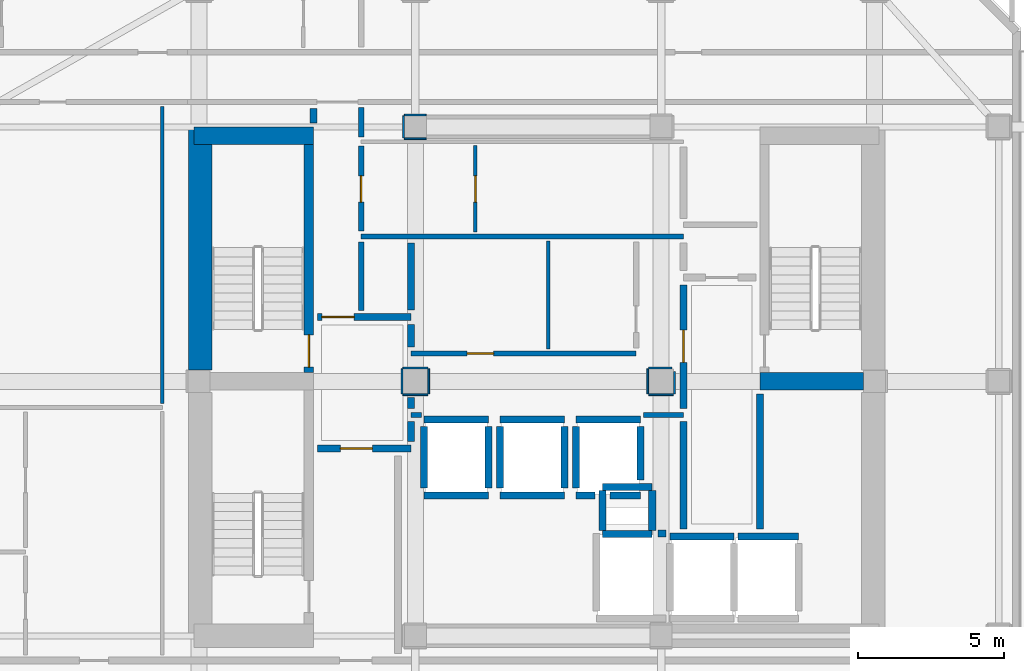
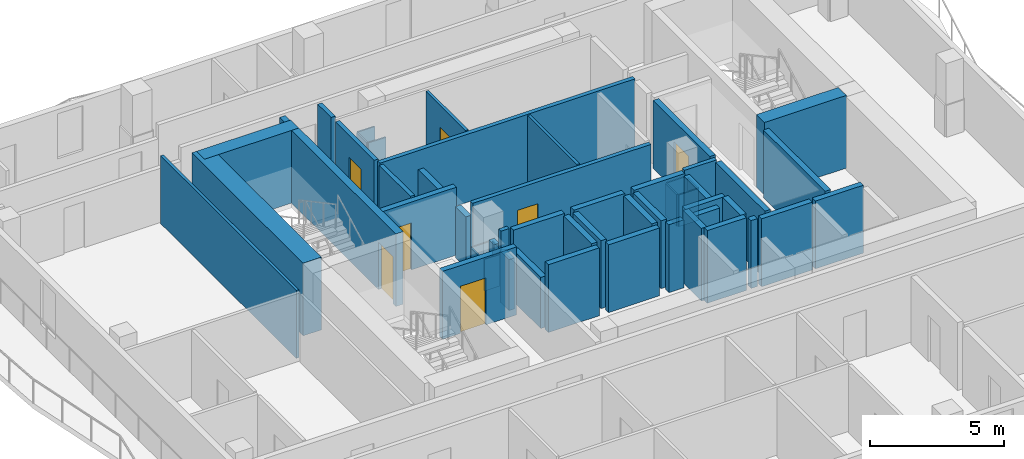
# One storey, part 4 of 10: 55 walls, 7 doors, 7 openings.
"""IFC4 building model written with IfcOpenShell, lengths in metres."""

from ifc_helpers import new_model, si_unit, direction, frame, frame_2d, origin, place, context, subcontext, project, spatial, rectangle, extrude, material, layer, layer_set, type_object, element, fill, save


model = new_model("IFC4")

# Units and contexts
model_context = context("Model", 3, precision=1e-05, world=origin(), true_north=direction((0.0, 1.0)))
body_context = subcontext(model_context, "Body", "Model", "MODEL_VIEW")
ifc_project = project(units=[si_unit("LENGTHUNIT", "METRE"), si_unit("AREAUNIT", "SQUARE_METRE"), si_unit("VOLUMEUNIT", "CUBIC_METRE"), si_unit("PLANEANGLEUNIT", "RADIAN"), si_unit("MASSUNIT", "GRAM", prefix="KILO")], contexts=[model_context])

# Site, building, storey
site_placement = place(None, origin())
site = spatial("IfcSite", under=ifc_project, at=site_placement, CompositionType="ELEMENT")
building_placement = place(site_placement, origin())
building = spatial("IfcBuilding", under=site, at=building_placement, Name="Solanera Arch Residences", CompositionType="ELEMENT")
storey_placement = place(building_placement, frame((0.0, 0.0, 196.800048828125)))
storey = spatial("IfcBuildingStorey", under=building, at=storey_placement, Name="L57", CompositionType="ELEMENT", Elevation=196.800048828125)

# Walls
ifc_material_1 = material(Name="Fire-Rated Gypsum Stud Partition", Category="gypsum")
ifc_layer_1 = layer(ifc_material_1, 0.06005859375)
ifc_layer_set_1 = layer_set([ifc_layer_1], Name="Fire-Rated Gypsum Stud Partition")
wall_type_1 = type_object("IfcWallType", Name="Column Acoustic Furring Wall 60", PredefinedType="PARTITIONING", material=ifc_layer_set_1)
for number, where, z_axis, x_axis, name in (
    (1, (20.425048828125, 38.992919921875, 0.0), (0.0, 0.0, 1.0), (1.0, 0.0, 0.0), "L57 Column Furring 3S"),
    (2, (20.425048828125, 39.806884765625, 0.0), (0.0, 0.0, 1.0), (1.0, 0.0, 0.0), "L57 Column Furring 3N"),
):
    element("IfcWall", number, at=place(storey_placement, frame(where, z_axis=z_axis, x_axis=x_axis)), inside=storey, type_object=wall_type_1, Name=name, PredefinedType="PARTITIONING", context=body_context, shape_type="SweptSolid", body=[
        extrude(rectangle(XDim=0.741943359375, YDim=0.06005859375, at=frame_2d((0.37109375, 0.0))), origin(), (0.0, 0.0, 1.0), 1.449951171875),
    ])
wall_1_placement = place(storey_placement, frame((20.39306640625, 39.02490234375, 0.0), z_axis=(0.0, 0.0, 1.0), x_axis=(0.0, 1.0, 0.0)))
element("IfcWall", 3, at=wall_1_placement, inside=storey, type_object=wall_type_1, Name="L57 Column Furring 3W", PredefinedType="PARTITIONING", context=body_context, shape_type="SweptSolid", body=[
    extrude(rectangle(XDim=0.75, YDim=0.06005859375, at=frame_2d((0.375, 0.0))), origin(), (0.0, 0.0, 1.0), 1.449951171875),
])
for number, where, z_axis, x_axis, name in (
    (4, (20.375, 30.242919921875, 0.0), (0.0, 0.0, 1.0), (1.0, 0.0, 0.0), "L57 Column Furring 7S"),
    (5, (20.375, 31.156982421875, 0.0), (0.0, 0.0, 1.0), (1.0, 0.0, 0.0), "L57 Column Furring 7N"),
    (6, (20.343017578125, 30.27490234375, 0.0), (0.0, 0.0, 1.0), (0.0, 1.0, 0.0), "L57 Column Furring 7W"),
    (7, (21.257080078125, 30.27490234375, 0.0), (0.0, 0.0, 1.0), (0.0, 1.0, 0.0), "L57 Column Furring 7E"),
    (8, (28.77490234375, 30.242919921875, 0.0), (0.0, 0.0, 1.0), (1.0, 0.0, 0.0), "L57 Column Furring 8S"),
):
    element("IfcWall", number, at=place(storey_placement, frame(where, z_axis=z_axis, x_axis=x_axis)), inside=storey, type_object=wall_type_1, Name=name, PredefinedType="PARTITIONING", context=body_context, shape_type="SweptSolid", body=[
        extrude(rectangle(XDim=0.85009765625, YDim=0.06005859375, at=frame_2d((0.425048828125, 0.0))), origin(), (0.0, 0.0, 1.0), 1.449951171875),
    ])
wall_2_placement = place(storey_placement, frame((28.77490234375, 31.156982421875, 0.0), z_axis=(0.0, 0.0, 1.0), x_axis=(1.0, 0.0, 0.0)))
element("IfcWall", 9, at=wall_2_placement, inside=storey, type_object=wall_type_1, Name="L57 Column Furring 8N", PredefinedType="PARTITIONING", context=body_context, shape_type="SweptSolid", body=[
    extrude(rectangle(XDim=0.794189453125, YDim=0.06005859375, at=frame_2d((0.39697265625, 0.0))), origin(), (0.0, 0.0, 1.0), 1.449951171875),
])
wall_3_placement = place(storey_placement, frame((28.742919921875, 30.27490234375, 0.0), z_axis=(0.0, 0.0, 1.0), x_axis=(0.0, 1.0, 0.0)))
element("IfcWall", 10, at=wall_3_placement, inside=storey, type_object=wall_type_1, Name="L57 Column Furring 8W", PredefinedType="PARTITIONING", context=body_context, shape_type="SweptSolid", body=[
    extrude(rectangle(XDim=0.85009765625, YDim=0.06005859375, at=frame_2d((0.425048828125, 0.0))), origin(), (0.0, 0.0, 1.0), 1.449951171875),
])
wall_4_placement = place(storey_placement, frame((29.656982421875, 30.27490234375, 0.0), z_axis=(0.0, 0.0, 1.0), x_axis=(0.0, 1.0, 0.0)))
element("IfcWall", 11, at=wall_4_placement, inside=storey, type_object=wall_type_1, Name="L57 Column Furring 8E", PredefinedType="PARTITIONING", context=body_context, shape_type="SweptSolid", body=[
    extrude(rectangle(XDim=0.757080078125, YDim=0.06005859375, at=frame_2d((0.37841796875, 0.0))), origin(), (0.0, 0.0, 1.0), 1.449951171875),
])

# Wall, opening, door
ifc_material_2 = material(Name="Concrete C40/50 (f'c = 45 MPa)", Category="concrete")
ifc_layer_2 = layer(ifc_material_2, 0.320068359375)
ifc_layer_set_2 = layer_set([ifc_layer_2], Name="Concrete C40/50 (f'c = 45 MPa)")
wall_type_2 = type_object("IfcWallType", Name="Core Shear Wall CW-320", PredefinedType="SHEAR", material=ifc_layer_set_2)
wall_5_placement = place(storey_placement, frame((17.159912109375, 31.0, 0.0), z_axis=(0.0, 0.0, 1.0), x_axis=(0.0, 1.0, 0.0)))
wall_5 = element("IfcWall", 12, at=wall_5_placement, inside=storey, type_object=wall_type_2, Name="L57 Stair ST-T1 East Shear Wall", PredefinedType="SHEAR", context=body_context, shape_type="SweptSolid", body=[
    extrude(rectangle(XDim=7.800048828125, YDim=0.320068359375, at=frame_2d((3.89990234375, 0.0))), origin(), (0.0, 0.0, 1.0), 3.320068359375),
])
opening_1_placement = place(wall_5_placement, frame((0.18994140625, 0.0, 0.0)))
opening_1 = element("IfcOpeningElement", 13, at=opening_1_placement, cuts=wall_5, Name="Opening DF-01", PredefinedType="OPENING", context=body_context, shape_type="SweptSolid", body=[
    extrude(rectangle(XDim=1.10009765625, YDim=2.14990234375, at=frame_2d((0.550048828125, 1.074951171875))), frame((0.0, 0.169921875, 0.0), z_axis=(0.0, -1.0, 0.0), x_axis=(1.0, 0.0, 0.0)), (0.0, 0.0, 1.0), 0.3401),
])
ifc_material_3 = material(Name="Fire-Rated Architectural Hardwood", Category="wood")
door_type_1 = type_object("IfcDoorType", Name="Stair Exit Fire Door DF-01", OperationType="NOTDEFINED", PredefinedType="DOOR", material=ifc_material_3)
door_1_placement = place(opening_1_placement, origin())
door_1 = element("IfcDoor", 14, at=door_1_placement, inside=storey, type_object=door_type_1, Name="DR-L57-STAIR-ST-T1", OperationType="SINGLE_SWING_RIGHT", OverallHeight=2.14990234375, OverallWidth=1.10009765625, PredefinedType="DOOR", context=body_context, shape_type="SweptSolid", body=[
    extrude(rectangle(XDim=1.10009765625, YDim=2.14990234375, at=frame_2d((0.550048828125, 1.074951171875))), frame((0.0, 0.02490234375, 0.0), z_axis=(0.0, -1.0, 0.0), x_axis=(1.0, 0.0, 0.0)), (0.0, 0.0, 1.0), 0.050048828125),
])
fill(opening_1, door_1)

# Walls
ifc_material_4 = material(Name="Concrete C40/50 (f'c = 45 MPa)", Category="concrete")
ifc_layer_3 = layer(ifc_material_4, 0.60009765625)
ifc_layer_set_3 = layer_set([ifc_layer_3], Name="Concrete C40/50 (f'c = 45 MPa)")
wall_type_3 = type_object("IfcWallType", Name="Core Shear Wall CW-600", PredefinedType="SHEAR", material=ifc_layer_set_3)
wall_6_placement = place(storey_placement, frame((13.239990234375, 39.10009765625, 0.0), z_axis=(0.0, 0.0, 1.0), x_axis=(1.0, 0.0, 0.0)))
element("IfcWall", 15, at=wall_6_placement, inside=storey, type_object=wall_type_3, Name="L57 North-West Core Shear Wall", PredefinedType="SHEAR", context=body_context, shape_type="SweptSolid", body=[
    extrude(rectangle(XDim=4.080078125, YDim=0.60009765625, at=frame_2d((2.0400390625, 0.0))), origin(), (0.0, 0.0, 1.0), 3.320068359375),
])
wall_7_placement = place(storey_placement, frame((32.580078125, 30.699951171875, 0.0), z_axis=(0.0, 0.0, 1.0), x_axis=(1.0, 0.0, 0.0)))
element("IfcWall", 16, at=wall_7_placement, inside=storey, type_object=wall_type_3, Name="L57 East Stair Far-Landing Shear Wall", PredefinedType="SHEAR", context=body_context, shape_type="SweptSolid", body=[
    extrude(rectangle(XDim=3.5400390625, YDim=0.60009765625, at=frame_2d((1.77001953125, 0.0))), origin(), (0.0, 0.0, 1.0), 3.320068359375),
])
ifc_material_5 = material(Name="Concrete C40/50 (f'c = 45 MPa)", Category="concrete")
ifc_layer_4 = layer(ifc_material_5, 0.800048828125)
ifc_layer_set_4 = layer_set([ifc_layer_4], Name="Concrete C40/50 (f'c = 45 MPa)")
wall_type_4 = type_object("IfcWallType", Name="Core Shear Wall CW-800", PredefinedType="SHEAR", material=ifc_layer_set_4)
wall_8_placement = place(storey_placement, frame((13.43994140625, 31.080078125, 0.0), z_axis=(0.0, 0.0, 1.0), x_axis=(0.0, 1.0, 0.0)))
element("IfcWall", 17, at=wall_8_placement, inside=storey, type_object=wall_type_4, Name="L57 West Core North Shear Wall", PredefinedType="SHEAR", context=body_context, shape_type="SweptSolid", body=[
    extrude(rectangle(XDim=8.31982421875, YDim=0.800048828125, at=frame_2d((4.159912109375, 0.0))), origin(), (0.0, 0.0, 1.0), 3.320068359375),
])
ifc_material_6 = material(Name="Autoclaved Aerated Concrete Blockwork", Category="masonry")
ifc_layer_5 = layer(ifc_material_6, 0.179931640625)
ifc_layer_set_5 = layer_set([ifc_layer_5], Name="Autoclaved Aerated Concrete Blockwork")
wall_type_5 = type_object("IfcWallType", Name="Corridor Fire Partition 180", PredefinedType="PARTITIONING", material=ifc_layer_set_5)
wall_9_placement = place(storey_placement, frame((20.64990234375, 29.550048828125, 0.0), z_axis=(0.0, 0.0, 1.0), x_axis=(1.0, 0.0, 0.0)))
element("IfcWall", 18, at=wall_9_placement, inside=storey, type_object=wall_type_5, Name="L57 Interior Partition H7 1", PredefinedType="PARTITIONING", context=body_context, shape_type="SweptSolid", body=[
    extrude(rectangle(XDim=0.357177734375, YDim=0.179931640625, at=frame_2d((0.1787109375, 0.0))), origin(), (0.0, 0.0, 1.0), 3.099853515625),
])
wall_10_placement = place(storey_placement, frame((28.593017578125, 29.550048828125, 0.0), z_axis=(0.0, 0.0, 1.0), x_axis=(1.0, 0.0, 0.0)))
element("IfcWall", 19, at=wall_10_placement, inside=storey, type_object=wall_type_5, Name="L57 Interior Partition H7 2", PredefinedType="PARTITIONING", context=body_context, shape_type="SweptSolid", body=[
    extrude(rectangle(XDim=1.382080078125, YDim=0.179931640625, at=frame_2d((0.69091796875, 0.0))), origin(), (0.0, 0.0, 1.0), 3.099853515625),
])

# Wall, opening, door
wall_11_placement = place(storey_placement, frame((20.64990234375, 31.64990234375, 0.0), z_axis=(0.0, 0.0, 1.0), x_axis=(1.0, 0.0, 0.0)))
wall_11 = element("IfcWall", 20, at=wall_11_placement, inside=storey, type_object=wall_type_5, Name="L57 Interior Partition H8", PredefinedType="PARTITIONING", context=body_context, shape_type="SweptSolid", body=[
    extrude(rectangle(XDim=7.7001953125, YDim=0.179931640625, at=frame_2d((3.85009765625, 0.0))), origin(), (0.0, 0.0, 1.0), 3.099853515625),
])
opening_2_placement = place(wall_11_placement, frame((1.924072265625, 0.0, 0.0)))
opening_2 = element("IfcOpeningElement", 21, at=opening_2_placement, cuts=wall_11, Name="Opening DI-02", PredefinedType="OPENING", context=body_context, shape_type="SweptSolid", body=[
    extrude(rectangle(XDim=0.89990234375, YDim=2.10009765625, at=frame_2d((0.449951171875, 1.050048828125))), frame((0.0, 0.10009765625, 0.0), z_axis=(0.0, -1.0, 0.0), x_axis=(1.0, 0.0, 0.0)), (0.0, 0.0, 1.0), 0.1999),
])
ifc_material_7 = material(Name="Fire-Rated Architectural Hardwood", Category="wood")
door_type_2 = type_object("IfcDoorType", Name="Suite Room Swing Door DI-02", OperationType="NOTDEFINED", PredefinedType="DOOR", material=ifc_material_7)
door_2_placement = place(opening_2_placement, origin())
door_2 = element("IfcDoor", 22, at=door_2_placement, inside=storey, type_object=door_type_2, Name="DR-L57-IN-012", OperationType="SINGLE_SWING_LEFT", OverallHeight=2.10009765625, OverallWidth=0.89990234375, PredefinedType="DOOR", context=body_context, shape_type="SweptSolid", body=[
    extrude(rectangle(XDim=0.89990234375, YDim=2.10009765625, at=frame_2d((0.449951171875, 1.050048828125))), frame((0.0, 0.02490234375, 0.0), z_axis=(0.0, -1.0, 0.0), x_axis=(1.0, 0.0, 0.0)), (0.0, 0.0, 1.0), 0.050048828125),
])
fill(opening_2, door_2)

# Walls
wall_12_placement = place(storey_placement, frame((18.949951171875, 35.64990234375, 0.0), z_axis=(0.0, 0.0, 1.0), x_axis=(1.0, 0.0, 0.0)))
element("IfcWall", 23, at=wall_12_placement, inside=storey, type_object=wall_type_5, Name="L57 Interior Partition H9", PredefinedType="PARTITIONING", context=body_context, shape_type="SweptSolid", body=[
    extrude(rectangle(XDim=11.025146484375, YDim=0.179931640625, at=frame_2d((5.5126953125, 0.0))), origin(), (0.0, 0.0, 1.0), 3.099853515625),
])
wall_13_placement = place(storey_placement, frame((18.949951171875, 33.117919921875, 0.0), z_axis=(0.0, 0.0, 1.0), x_axis=(0.0, 1.0, 0.0)))
element("IfcWall", 24, at=wall_13_placement, inside=storey, type_object=wall_type_5, Name="L57 Interior Partition V8 1", PredefinedType="PARTITIONING", context=body_context, shape_type="SweptSolid", body=[
    extrude(rectangle(XDim=2.343994140625, YDim=0.179931640625, at=frame_2d((1.171875, 0.0))), origin(), (0.0, 0.0, 1.0), 3.099853515625),
])

# Wall, opening, door
wall_14_placement = place(storey_placement, frame((18.949951171875, 35.837890625, 0.0), z_axis=(0.0, 0.0, 1.0), x_axis=(0.0, 1.0, 0.0)))
wall_14 = element("IfcWall", 25, at=wall_14_placement, inside=storey, type_object=wall_type_5, Name="L57 Interior Partition V8 2", PredefinedType="PARTITIONING", context=body_context, shape_type="SweptSolid", body=[
    extrude(rectangle(XDim=2.904052734375, YDim=0.179931640625, at=frame_2d((1.4521484375, 0.0))), origin(), (0.0, 0.0, 1.0), 3.099853515625),
])
opening_3_placement = place(wall_14_placement, frame((0.987060546875, 0.0, 0.0)))
opening_3 = element("IfcOpeningElement", 26, at=opening_3_placement, cuts=wall_14, Name="Opening DI-02", PredefinedType="OPENING", context=body_context, shape_type="SweptSolid", body=[
    extrude(rectangle(XDim=0.89990234375, YDim=2.10009765625, at=frame_2d((0.449951171875, 1.050048828125))), frame((0.0, 0.10009765625, 0.0), z_axis=(0.0, -1.0, 0.0), x_axis=(1.0, 0.0, 0.0)), (0.0, 0.0, 1.0), 0.1999),
])
door_3_placement = place(opening_3_placement, origin())
door_3 = element("IfcDoor", 27, at=door_3_placement, inside=storey, type_object=door_type_2, Name="DR-L57-IN-010", OperationType="SINGLE_SWING_LEFT", OverallHeight=2.10009765625, OverallWidth=0.89990234375, PredefinedType="DOOR", context=body_context, shape_type="SweptSolid", body=[
    extrude(rectangle(XDim=0.89990234375, YDim=2.10009765625, at=frame_2d((0.449951171875, 1.050048828125))), frame((0.0, 0.02490234375, 0.0), z_axis=(0.0, -1.0, 0.0), x_axis=(1.0, 0.0, 0.0)), (0.0, 0.0, 1.0), 0.050048828125),
])
fill(opening_3, door_3)

# Walls
wall_15_placement = place(storey_placement, frame((18.949951171875, 39.05810546875, 0.0), z_axis=(0.0, 0.0, 1.0), x_axis=(0.0, 1.0, 0.0)))
element("IfcWall", 28, at=wall_15_placement, inside=storey, type_object=wall_type_5, Name="L57 Interior Partition V8 3", PredefinedType="PARTITIONING", context=body_context, shape_type="SweptSolid", body=[
    extrude(rectangle(XDim=1.00390625, YDim=0.179931640625, at=frame_2d((0.501953125, 0.0))), origin(), (0.0, 0.0, 1.0), 3.099853515625),
])
ifc_material_8 = material(Name="Concrete C40/50 (f'c = 45 MPa)", Category="concrete")
ifc_layer_6 = layer(ifc_material_8, 0.239990234375)
ifc_layer_set_6 = layer_set([ifc_layer_6], Name="Concrete C40/50 (f'c = 45 MPa)")
wall_type_6 = type_object("IfcWallType", Name="Ramp Bearing Shear Wall RW-240", PredefinedType="SHEAR", material=ifc_layer_set_6)
for number, where, z_axis, x_axis, name in (
    (29, (27.199951171875, 25.47998046875, 0.0), (0.0, 0.0, 1.0), (1.0, 0.0, 0.0), "L57 Core MEP Riser South Shaft Wall"),
    (30, (27.199951171875, 27.080078125, 0.0), (0.0, 0.0, 1.0), (1.0, 0.0, 0.0), "L57 Core MEP Riser North Shaft Wall"),
):
    element("IfcWall", number, at=place(storey_placement, frame(where, z_axis=z_axis, x_axis=x_axis)), inside=storey, type_object=wall_type_6, Name=name, PredefinedType="SHEAR", context=body_context, shape_type="SweptSolid", body=[
        extrude(rectangle(XDim=1.699951171875, YDim=0.239990234375, at=frame_2d((0.85009765625, 0.0))), origin(), (0.0, 0.0, 1.0), 3.320068359375),
    ])
for number, where, z_axis, x_axis, name in (
    (31, (27.199951171875, 25.60009765625, 0.0), (0.0, 0.0, 1.0), (0.0, 1.0, 0.0), "L57 Core MEP Riser West Shaft Wall"),
    (32, (28.89990234375, 25.60009765625, 0.0), (0.0, 0.0, 1.0), (0.0, 1.0, 0.0), "L57 Core MEP Riser East Shaft Wall"),
):
    element("IfcWall", number, at=place(storey_placement, frame(where, z_axis=z_axis, x_axis=x_axis)), inside=storey, type_object=wall_type_6, Name=name, PredefinedType="SHEAR", context=body_context, shape_type="SweptSolid", body=[
        extrude(rectangle(XDim=1.35986328125, YDim=0.239990234375, at=frame_2d((0.679931640625, 0.0))), origin(), (0.0, 0.0, 1.0), 3.320068359375),
    ])
ifc_material_9 = material(Name="Autoclaved Aerated Concrete Blockwork", Category="masonry")
ifc_layer_7 = layer(ifc_material_9, 0.239990234375)
ifc_layer_set_7 = layer_set([ifc_layer_7], Name="Autoclaved Aerated Concrete Blockwork")
wall_type_7 = type_object("IfcWallType", Name="Shaft Wall Fire-Rated 240", PredefinedType="PARTITIONING", material=ifc_layer_set_7)
for number, where, z_axis, x_axis, name in (
    (33, (21.10009765625, 26.800048828125, 0.0), (0.0, 0.0, 1.0), (1.0, 0.0, 0.0), "L57 Lift PL-H1 Hoistway Wall S"),
    (34, (21.10009765625, 29.39990234375, 0.0), (0.0, 0.0, 1.0), (1.0, 0.0, 0.0), "L57 Lift PL-H1 Hoistway Wall N"),
):
    element("IfcWall", number, at=place(storey_placement, frame(where, z_axis=z_axis, x_axis=x_axis)), inside=storey, type_object=wall_type_7, Name=name, PredefinedType="PARTITIONING", context=body_context, shape_type="SweptSolid", body=[
        extrude(rectangle(XDim=2.199951171875, YDim=0.239990234375, at=frame_2d((1.10009765625, 0.0))), origin(), (0.0, 0.0, 1.0), 3.099853515625),
    ])
wall_16_placement = place(storey_placement, frame((21.10009765625, 27.048095703125, 0.0), z_axis=(0.0, 0.0, 1.0), x_axis=(0.0, 1.0, 0.0)))
element("IfcWall", 35, at=wall_16_placement, inside=storey, type_object=wall_type_7, Name="L57 Lift PL-H1 Hoistway Wall W", PredefinedType="PARTITIONING", context=body_context, shape_type="SweptSolid", body=[
    extrude(rectangle(XDim=2.10400390625, YDim=0.239990234375, at=frame_2d((1.052001953125, 0.0))), origin(), (0.0, 0.0, 1.0), 2.3349609375),
])
wall_17_placement = place(storey_placement, frame((23.300048828125, 27.048095703125, 0.0), z_axis=(0.0, 0.0, 1.0), x_axis=(0.0, 1.0, 0.0)))
element("IfcWall", 36, at=wall_17_placement, inside=storey, type_object=wall_type_7, Name="L57 Lift PL-H1 Hoistway Wall E", PredefinedType="PARTITIONING", context=body_context, shape_type="SweptSolid", body=[
    extrude(rectangle(XDim=2.10400390625, YDim=0.239990234375, at=frame_2d((1.052001953125, 0.0))), origin(), (0.0, 0.0, 1.0), 3.099853515625),
])
for number, where, z_axis, x_axis, name in (
    (37, (23.699951171875, 26.800048828125, 0.0), (0.0, 0.0, 1.0), (1.0, 0.0, 0.0), "L57 Lift PL-H2 Hoistway Wall S"),
    (38, (23.699951171875, 29.39990234375, 0.0), (0.0, 0.0, 1.0), (1.0, 0.0, 0.0), "L57 Lift PL-H2 Hoistway Wall N"),
):
    element("IfcWall", number, at=place(storey_placement, frame(where, z_axis=z_axis, x_axis=x_axis)), inside=storey, type_object=wall_type_7, Name=name, PredefinedType="PARTITIONING", context=body_context, shape_type="SweptSolid", body=[
        extrude(rectangle(XDim=2.199951171875, YDim=0.239990234375, at=frame_2d((1.10009765625, 0.0))), origin(), (0.0, 0.0, 1.0), 3.099853515625),
    ])
for number, where, z_axis, x_axis, name in (
    (39, (23.699951171875, 27.048095703125, 0.0), (0.0, 0.0, 1.0), (0.0, 1.0, 0.0), "L57 Lift PL-H2 Hoistway Wall W"),
    (40, (25.89990234375, 27.048095703125, 0.0), (0.0, 0.0, 1.0), (0.0, 1.0, 0.0), "L57 Lift PL-H2 Hoistway Wall E"),
):
    element("IfcWall", number, at=place(storey_placement, frame(where, z_axis=z_axis, x_axis=x_axis)), inside=storey, type_object=wall_type_7, Name=name, PredefinedType="PARTITIONING", context=body_context, shape_type="SweptSolid", body=[
        extrude(rectangle(XDim=2.10400390625, YDim=0.239990234375, at=frame_2d((1.052001953125, 0.0))), origin(), (0.0, 0.0, 1.0), 3.099853515625),
    ])
wall_18_placement = place(storey_placement, frame((26.300048828125, 26.800048828125, 0.0), z_axis=(0.0, 0.0, 1.0), x_axis=(1.0, 0.0, 0.0)))
element("IfcWall", 41, at=wall_18_placement, inside=storey, type_object=wall_type_7, Name="L57 Lift PL-H3 Hoistway Wall S 1", PredefinedType="PARTITIONING", context=body_context, shape_type="SweptSolid", body=[
    extrude(rectangle(XDim=0.64990234375, YDim=0.239990234375, at=frame_2d((0.324951171875, 0.0))), origin(), (0.0, 0.0, 1.0), 3.099853515625),
])
wall_19_placement = place(storey_placement, frame((27.449951171875, 26.800048828125, 0.0), z_axis=(0.0, 0.0, 1.0), x_axis=(1.0, 0.0, 0.0)))
element("IfcWall", 42, at=wall_19_placement, inside=storey, type_object=wall_type_7, Name="L57 Lift PL-H3 Hoistway Wall S 2", PredefinedType="PARTITIONING", context=body_context, shape_type="SweptSolid", body=[
    extrude(rectangle(XDim=1.050048828125, YDim=0.239990234375, at=frame_2d((0.52490234375, 0.0))), origin(), (0.0, 0.0, 1.0), 3.099853515625),
])
wall_20_placement = place(storey_placement, frame((26.300048828125, 29.39990234375, 0.0), z_axis=(0.0, 0.0, 1.0), x_axis=(1.0, 0.0, 0.0)))
element("IfcWall", 43, at=wall_20_placement, inside=storey, type_object=wall_type_7, Name="L57 Lift PL-H3 Hoistway Wall N", PredefinedType="PARTITIONING", context=body_context, shape_type="SweptSolid", body=[
    extrude(rectangle(XDim=2.199951171875, YDim=0.239990234375, at=frame_2d((1.10009765625, 0.0))), origin(), (0.0, 0.0, 1.0), 3.099853515625),
])
wall_21_placement = place(storey_placement, frame((26.300048828125, 27.048095703125, 0.0), z_axis=(0.0, 0.0, 1.0), x_axis=(0.0, 1.0, 0.0)))
element("IfcWall", 44, at=wall_21_placement, inside=storey, type_object=wall_type_7, Name="L57 Lift PL-H3 Hoistway Wall W", PredefinedType="PARTITIONING", context=body_context, shape_type="SweptSolid", body=[
    extrude(rectangle(XDim=2.10400390625, YDim=0.239990234375, at=frame_2d((1.052001953125, 0.0))), origin(), (0.0, 0.0, 1.0), 3.099853515625),
])
wall_22_placement = place(storey_placement, frame((28.5, 27.330078125, 0.0), z_axis=(0.0, 0.0, 1.0), x_axis=(0.0, 1.0, 0.0)))
element("IfcWall", 45, at=wall_22_placement, inside=storey, type_object=wall_type_7, Name="L57 Lift PL-H3 Hoistway Wall E", PredefinedType="PARTITIONING", context=body_context, shape_type="SweptSolid", body=[
    extrude(rectangle(XDim=1.822021484375, YDim=0.239990234375, at=frame_2d((0.9111328125, 0.0))), origin(), (0.0, 0.0, 1.0), 3.099853515625),
])
wall_23_placement = place(storey_placement, frame((29.5, 25.39990234375, 0.0), z_axis=(0.0, 0.0, 1.0), x_axis=(1.0, 0.0, 0.0)))
element("IfcWall", 46, at=wall_23_placement, inside=storey, type_object=wall_type_7, Name="L57 Lift FFL-1 Hoistway Wall N", PredefinedType="PARTITIONING", context=body_context, shape_type="SweptSolid", body=[
    extrude(rectangle(XDim=2.199951171875, YDim=0.239990234375, at=frame_2d((1.10009765625, 0.0))), origin(), (0.0, 0.0, 1.0), 3.099853515625),
])
wall_24_placement = place(storey_placement, frame((31.827880859375, 25.39990234375, 0.0), z_axis=(0.0, 0.0, 1.0), x_axis=(1.0, 0.0, 0.0)))
element("IfcWall", 47, at=wall_24_placement, inside=storey, type_object=wall_type_7, Name="L57 Lift FFL-2 Hoistway Wall N", PredefinedType="PARTITIONING", context=body_context, shape_type="SweptSolid", body=[
    extrude(rectangle(XDim=2.072021484375, YDim=0.239990234375, at=frame_2d((1.0361328125, 0.0))), origin(), (0.0, 0.0, 1.0), 3.099853515625),
])
wall_25_placement = place(storey_placement, frame((29.10302734375, 25.5, 0.0), z_axis=(0.0, 0.0, 1.0), x_axis=(1.0, 0.0, 0.0)))
element("IfcWall", 48, at=wall_25_placement, inside=storey, type_object=wall_type_7, Name="L57 Lift SVL-1 Hoistway Wall N", PredefinedType="PARTITIONING", context=body_context, shape_type="SweptSolid", body=[
    extrude(rectangle(XDim=0.26904296875, YDim=0.239990234375, at=frame_2d((0.134521484375, 0.0))), origin(), (0.0, 0.0, 1.0), 3.099853515625),
])

# Wall, opening, door
wall_26_placement = place(storey_placement, frame((17.449951171875, 28.39990234375, 0.0), z_axis=(0.0, 0.0, 1.0), x_axis=(1.0, 0.0, 0.0)))
wall_26 = element("IfcWall", 49, at=wall_26_placement, inside=storey, type_object=wall_type_7, Name="L57 Interior Partition H3", PredefinedType="PARTITIONING", context=body_context, shape_type="SweptSolid", body=[
    extrude(rectangle(XDim=3.199951171875, YDim=0.239990234375, at=frame_2d((1.60009765625, 0.0))), origin(), (0.0, 0.0, 1.0), 3.099853515625),
])
opening_4_placement = place(wall_26_placement, frame((0.783935546875, 0.0, 0.0)))
opening_4 = element("IfcOpeningElement", 50, at=opening_4_placement, cuts=wall_26, Name="Opening DF-02", PredefinedType="OPENING", context=body_context, shape_type="SweptSolid", body=[
    extrude(rectangle(XDim=1.10009765625, YDim=2.14990234375, at=frame_2d((0.550048828125, 1.074951171875))), frame((0.0, 0.1298828125, 0.0), z_axis=(0.0, -1.0, 0.0), x_axis=(1.0, 0.0, 0.0)), (0.0, 0.0, 1.0), 0.26),
])
ifc_material_10 = material(Name="Fire-Rated Architectural Hardwood", Category="wood")
door_type_3 = type_object("IfcDoorType", Name="Firefighting Lobby Fire Door DF-02", OperationType="NOTDEFINED", PredefinedType="DOOR", material=ifc_material_10)
door_4_placement = place(opening_4_placement, origin())
door_4 = element("IfcDoor", 51, at=door_4_placement, inside=storey, type_object=door_type_3, Name="DR-L57-IN-004", OperationType="SINGLE_SWING_LEFT", OverallHeight=2.14990234375, OverallWidth=1.10009765625, PredefinedType="DOOR", context=body_context, shape_type="SweptSolid", body=[
    extrude(rectangle(XDim=1.10009765625, YDim=2.14990234375, at=frame_2d((0.550048828125, 1.074951171875))), frame((0.0, 0.02490234375, 0.0), z_axis=(0.0, -1.0, 0.0), x_axis=(1.0, 0.0, 0.0)), (0.0, 0.0, 1.0), 0.050048828125),
])
fill(opening_4, door_4)

wall_27_placement = place(storey_placement, frame((17.449951171875, 32.89990234375, 0.0), z_axis=(0.0, 0.0, 1.0), x_axis=(1.0, 0.0, 0.0)))
wall_27 = element("IfcWall", 52, at=wall_27_placement, inside=storey, type_object=wall_type_7, Name="L57 Interior Partition H4", PredefinedType="PARTITIONING", context=body_context, shape_type="SweptSolid", body=[
    extrude(rectangle(XDim=3.199951171875, YDim=0.239990234375, at=frame_2d((1.60009765625, 0.0))), origin(), (0.0, 0.0, 1.0), 3.099853515625),
])
opening_5_placement = place(wall_27_placement, frame((0.158935546875, 0.0, 0.0)))
opening_5 = element("IfcOpeningElement", 53, at=opening_5_placement, cuts=wall_27, Name="Opening DF-02", PredefinedType="OPENING", context=body_context, shape_type="SweptSolid", body=[
    extrude(rectangle(XDim=1.10009765625, YDim=2.14990234375, at=frame_2d((0.550048828125, 1.074951171875))), frame((0.0, 0.1298828125, 0.0), z_axis=(0.0, -1.0, 0.0), x_axis=(1.0, 0.0, 0.0)), (0.0, 0.0, 1.0), 0.26),
])
door_5_placement = place(opening_5_placement, origin())
door_5 = element("IfcDoor", 54, at=door_5_placement, inside=storey, type_object=door_type_3, Name="DR-L57-IN-005", OperationType="SINGLE_SWING_RIGHT", OverallHeight=2.14990234375, OverallWidth=1.10009765625, PredefinedType="DOOR", context=body_context, shape_type="SweptSolid", body=[
    extrude(rectangle(XDim=1.10009765625, YDim=2.14990234375, at=frame_2d((0.550048828125, 1.074951171875))), frame((0.0, 0.02490234375, 0.0), z_axis=(0.0, -1.0, 0.0), x_axis=(1.0, 0.0, 0.0)), (0.0, 0.0, 1.0), 0.050048828125),
])
fill(opening_5, door_5)

# Walls
wall_28_placement = place(storey_placement, frame((17.320068359375, 39.530029296875, 0.0), z_axis=(0.0, 0.0, 1.0), x_axis=(0.0, 1.0, 0.0)))
element("IfcWall", 55, at=wall_28_placement, inside=storey, type_object=wall_type_7, Name="L57 Interior Partition V1", PredefinedType="PARTITIONING", context=body_context, shape_type="SweptSolid", body=[
    extrude(rectangle(XDim=0.501953125, YDim=0.239990234375, at=frame_2d((0.2509765625, 0.0))), origin(), (0.0, 0.0, 1.0), 3.099853515625),
])
wall_29_placement = place(storey_placement, frame((20.64990234375, 28.64794921875, 0.0), z_axis=(0.0, 0.0, 1.0), x_axis=(0.0, 1.0, 0.0)))
element("IfcWall", 56, at=wall_29_placement, inside=storey, type_object=wall_type_7, Name="L57 Interior Partition V3 1", PredefinedType="PARTITIONING", context=body_context, shape_type="SweptSolid", body=[
    extrude(rectangle(XDim=0.68408203125, YDim=0.239990234375, at=frame_2d((0.342041015625, 0.0))), origin(), (0.0, 0.0, 1.0), 2.3349609375),
])
wall_30_placement = place(storey_placement, frame((20.64990234375, 29.76806640625, 0.0), z_axis=(0.0, 0.0, 1.0), x_axis=(0.0, 1.0, 0.0)))
element("IfcWall", 57, at=wall_30_placement, inside=storey, type_object=wall_type_7, Name="L57 Interior Partition V3 2", PredefinedType="PARTITIONING", context=body_context, shape_type="SweptSolid", body=[
    extrude(rectangle(XDim=0.375, YDim=0.239990234375, at=frame_2d((0.1875, 0.0))), origin(), (0.0, 0.0, 1.0), 2.3349609375),
])
wall_31_placement = place(storey_placement, frame((20.64990234375, 31.867919921875, 0.0), z_axis=(0.0, 0.0, 1.0), x_axis=(0.0, 1.0, 0.0)))
element("IfcWall", 58, at=wall_31_placement, inside=storey, type_object=wall_type_7, Name="L57 Interior Partition V3 3", PredefinedType="PARTITIONING", context=body_context, shape_type="SweptSolid", body=[
    extrude(rectangle(XDim=0.7841796875, YDim=0.239990234375, at=frame_2d((0.39208984375, 0.0))), origin(), (0.0, 0.0, 1.0), 2.3349609375),
])
wall_32_placement = place(storey_placement, frame((20.64990234375, 33.14794921875, 0.0), z_axis=(0.0, 0.0, 1.0), x_axis=(0.0, 1.0, 0.0)))
element("IfcWall", 59, at=wall_32_placement, inside=storey, type_object=wall_type_7, Name="L57 Interior Partition V3 4", PredefinedType="PARTITIONING", context=body_context, shape_type="SweptSolid", body=[
    extrude(rectangle(XDim=2.283935546875, YDim=0.239990234375, at=frame_2d((1.14208984375, 0.0))), origin(), (0.0, 0.0, 1.0), 2.3349609375),
])
wall_33_placement = place(storey_placement, frame((29.97509765625, 25.64794921875, 0.0), z_axis=(0.0, 0.0, 1.0), x_axis=(0.0, 1.0, 0.0)))
element("IfcWall", 60, at=wall_33_placement, inside=storey, type_object=wall_type_7, Name="L57 Interior Partition V4 1", PredefinedType="PARTITIONING", context=body_context, shape_type="SweptSolid", body=[
    extrude(rectangle(XDim=3.68408203125, YDim=0.239990234375, at=frame_2d((1.842041015625, 0.0))), origin(), (0.0, 0.0, 1.0), 3.099853515625),
])

# Wall, opening, door
wall_34_placement = place(storey_placement, frame((29.97509765625, 29.76806640625, 0.0), z_axis=(0.0, 0.0, 1.0), x_axis=(0.0, 1.0, 0.0)))
wall_34 = element("IfcWall", 61, at=wall_34_placement, inside=storey, type_object=wall_type_7, Name="L57 Interior Partition V4 2", PredefinedType="PARTITIONING", context=body_context, shape_type="SweptSolid", body=[
    extrude(rectangle(XDim=4.23388671875, YDim=0.239990234375, at=frame_2d((2.116943359375, 0.0))), origin(), (0.0, 0.0, 1.0), 3.099853515625),
])
opening_6_placement = place(wall_34_placement, frame((1.58203125, 0.0, 0.0)))
opening_6 = element("IfcOpeningElement", 62, at=opening_6_placement, cuts=wall_34, Name="Opening DF-02", PredefinedType="OPENING", context=body_context, shape_type="SweptSolid", body=[
    extrude(rectangle(XDim=1.10009765625, YDim=2.14990234375, at=frame_2d((0.550048828125, 1.074951171875))), frame((0.0, 0.1298828125, 0.0), z_axis=(0.0, -1.0, 0.0), x_axis=(1.0, 0.0, 0.0)), (0.0, 0.0, 1.0), 0.26),
])
door_6_placement = place(opening_6_placement, origin())
door_6 = element("IfcDoor", 63, at=door_6_placement, inside=storey, type_object=door_type_3, Name="DR-L57-IN-006", OperationType="SINGLE_SWING_LEFT", OverallHeight=2.14990234375, OverallWidth=1.10009765625, PredefinedType="DOOR", context=body_context, shape_type="SweptSolid", body=[
    extrude(rectangle(XDim=1.10009765625, YDim=2.14990234375, at=frame_2d((0.550048828125, 1.074951171875))), frame((0.0, 0.02490234375, 0.0), z_axis=(0.0, -1.0, 0.0), x_axis=(1.0, 0.0, 0.0)), (0.0, 0.0, 1.0), 0.050048828125),
])
fill(opening_6, door_6)

# Walls
wall_35_placement = place(storey_placement, frame((32.580078125, 25.64794921875, 0.0), z_axis=(0.0, 0.0, 1.0), x_axis=(0.0, 1.0, 0.0)))
element("IfcWall", 64, at=wall_35_placement, inside=storey, type_object=wall_type_7, Name="L57 Interior Partition V6", PredefinedType="PARTITIONING", context=body_context, shape_type="SweptSolid", body=[
    extrude(rectangle(XDim=4.6220703125, YDim=0.239990234375, at=frame_2d((2.31103515625, 0.0))), origin(), (0.0, 0.0, 1.0), 3.099853515625),
])
ifc_material_11 = material(Name="Fire-Rated Gypsum Stud Partition", Category="gypsum")
ifc_layer_8 = layer(ifc_material_11, 0.1201171875)
ifc_layer_set_8 = layer_set([ifc_layer_8], Name="Fire-Rated Gypsum Stud Partition")
wall_type_8 = type_object("IfcWallType", Name="Unit Drywall Partition 120", PredefinedType="PARTITIONING", material=ifc_layer_set_8)
wall_36_placement = place(storey_placement, frame((12.14990234375, 29.93798828125, 0.0), z_axis=(0.0, 0.0, 1.0), x_axis=(0.0, 1.0, 0.0)))
element("IfcWall", 65, at=wall_36_placement, inside=storey, type_object=wall_type_8, Name="L57 Interior Partition V18 2", PredefinedType="PARTITIONING", context=body_context, shape_type="SweptSolid", body=[
    extrude(rectangle(XDim=10.154052734375, YDim=0.1201171875, at=frame_2d((5.0771484375, 0.0))), origin(), (0.0, 0.0, 1.0), 3.099853515625),
])

# Wall, opening, door
wall_37_placement = place(storey_placement, frame((22.85009765625, 35.80810546875, 0.0), z_axis=(0.0, 0.0, 1.0), x_axis=(0.0, 1.0, 0.0)))
wall_37 = element("IfcWall", 66, at=wall_37_placement, inside=storey, type_object=wall_type_8, Name="L57 Interior Partition V22", PredefinedType="PARTITIONING", context=body_context, shape_type="SweptSolid", body=[
    extrude(rectangle(XDim=2.9638671875, YDim=0.1201171875, at=frame_2d((1.48193359375, 0.0))), origin(), (0.0, 0.0, 1.0), 3.099853515625),
])
opening_7_placement = place(wall_37_placement, frame((1.01708984375, 0.0, 0.0)))
opening_7 = element("IfcOpeningElement", 67, at=opening_7_placement, cuts=wall_37, Name="Opening DI-02", PredefinedType="OPENING", context=body_context, shape_type="SweptSolid", body=[
    extrude(rectangle(XDim=0.89990234375, YDim=2.10009765625, at=frame_2d((0.449951171875, 1.050048828125))), frame((0.0, 0.070068359375, 0.0), z_axis=(0.0, -1.0, 0.0), x_axis=(1.0, 0.0, 0.0)), (0.0, 0.0, 1.0), 0.1401),
])
door_7_placement = place(opening_7_placement, origin())
door_7 = element("IfcDoor", 68, at=door_7_placement, inside=storey, type_object=door_type_2, Name="DR-L57-IN-011", OperationType="SINGLE_SWING_RIGHT", OverallHeight=2.10009765625, OverallWidth=0.89990234375, PredefinedType="DOOR", context=body_context, shape_type="SweptSolid", body=[
    extrude(rectangle(XDim=0.89990234375, YDim=2.10009765625, at=frame_2d((0.449951171875, 1.050048828125))), frame((0.0, 0.02490234375, 0.0), z_axis=(0.0, -1.0, 0.0), x_axis=(1.0, 0.0, 0.0)), (0.0, 0.0, 1.0), 0.050048828125),
])
fill(opening_7, door_7)

# Wall
wall_38_placement = place(storey_placement, frame((25.35009765625, 31.80810546875, 0.0), z_axis=(0.0, 0.0, 1.0), x_axis=(0.0, 1.0, 0.0)))
element("IfcWall", 69, at=wall_38_placement, inside=storey, type_object=wall_type_8, Name="L57 Interior Partition V23", PredefinedType="PARTITIONING", context=body_context, shape_type="SweptSolid", body=[
    extrude(rectangle(XDim=3.683837890625, YDim=0.1201171875, at=frame_2d((1.841796875, 0.0))), origin(), (0.0, 0.0, 1.0), 3.099853515625),
])

save(model, "model.ifc")
